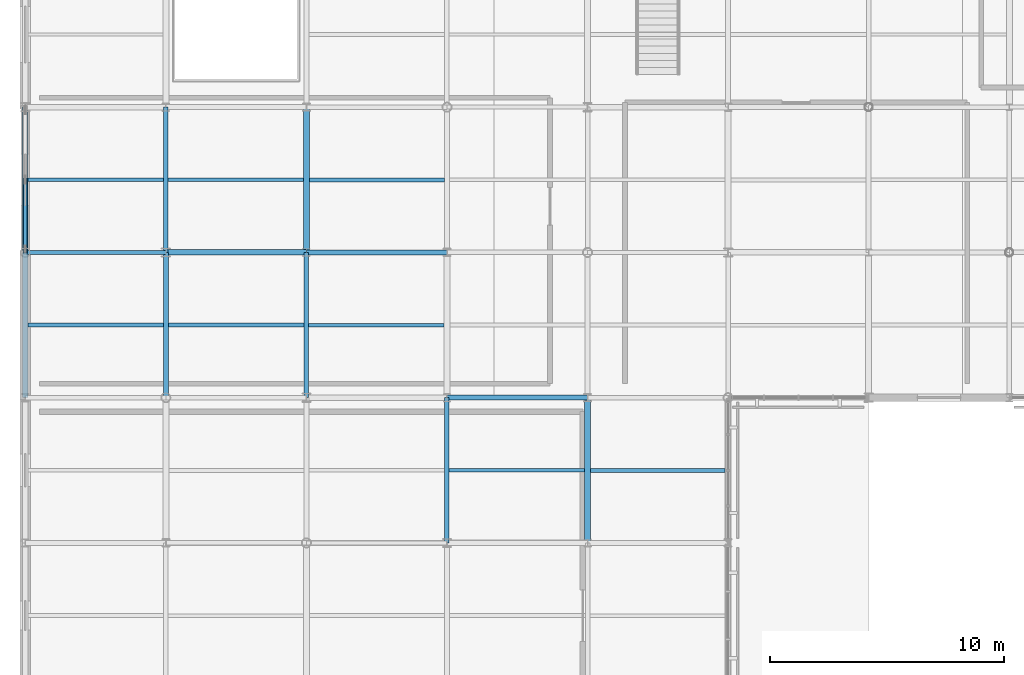
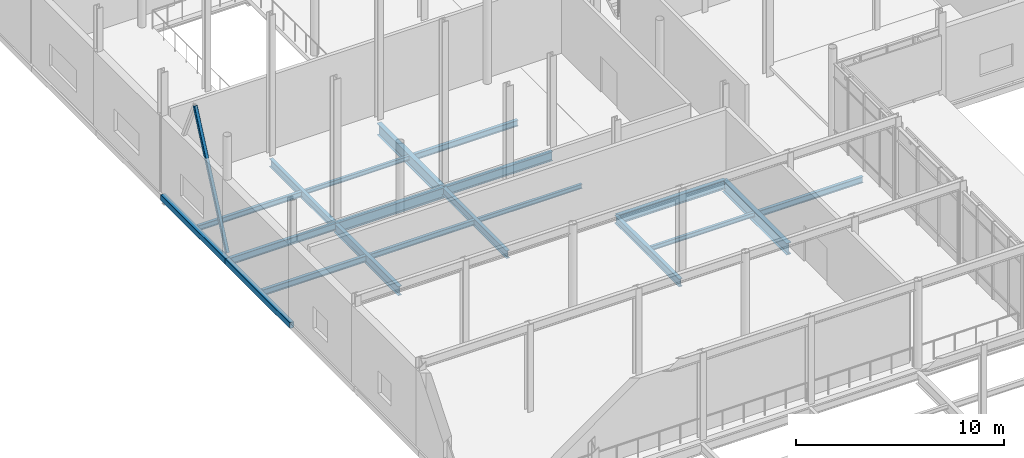
# One storey, part 23 of 105: 20 beams, 1 member.
"""IFC4 building model written with IfcOpenShell, lengths in metres."""

from ifc_helpers import new_model, si_unit, direction, frame, origin, origin_2d, place, context, subcontext, project, spatial, hollow_rectangle, i_section, extrude, material, material_profile, profile_set, type_object, element, save


model = new_model("IFC4")

# Units and contexts
model_context = context("Model", 3, precision=1e-05, world=origin(), true_north=direction((0.0, 1.0)))
body_context = subcontext(model_context, "Body", "Model", "MODEL_VIEW")
ifc_project = project(units=[si_unit("LENGTHUNIT", "METRE"), si_unit("AREAUNIT", "SQUARE_METRE"), si_unit("VOLUMEUNIT", "CUBIC_METRE"), si_unit("PLANEANGLEUNIT", "RADIAN"), si_unit("MASSUNIT", "GRAM", prefix="KILO")], contexts=[model_context])

# Site, building, storey
site_placement = place(None, origin())
site = spatial("IfcSite", under=ifc_project, at=site_placement, CompositionType="ELEMENT")
building_placement = place(site_placement, origin())
building = spatial("IfcBuilding", under=site, at=building_placement, Name="Mirzam Square Science Centre", CompositionType="ELEMENT")
storey_placement = place(building_placement, frame((0.0, 0.0, 5.39990234375)))
storey = spatial("IfcBuildingStorey", under=building, at=storey_placement, Name="L01", CompositionType="ELEMENT", Elevation=5.39990234375)

# Beams
ifc_material = material(Name="Steel S355", Category="steel")
ifc_material_profile_1 = material_profile(ifc_material, i_section(OverallWidth=0.1787109375, OverallDepth=0.409423828125, WebThickness=0.0087890625, FlangeThickness=0.014404296875, FilletRadius=0.01025390625, at=origin_2d()), Name="406x178x67UB")
ifc_profile_set_1 = profile_set([ifc_material_profile_1], Name="Steel S355")
beam_type_1 = type_object("IfcBeamType", Name="BM-UB406", PredefinedType="BEAM", material=ifc_profile_set_1)
beam_1_placement = place(storey_placement, frame((0.0, 43.39990234375, -0.464599609375), z_axis=(1.0, 0.0, 0.0), x_axis=(0.0, 1.0, 0.0)))
element("IfcBeam", 1, at=beam_1_placement, inside=storey, type_object=beam_type_1, Name="L01 girder X1-8", PredefinedType="BEAM", context=body_context, shape_type="SweptSolid", body=[
    extrude(i_section(OverallWidth=0.1787109375, OverallDepth=0.409423828125, WebThickness=0.0087890625, FlangeThickness=0.014404296875, FilletRadius=0.01025390625, at=origin_2d()), origin(), (0.0, 0.0, 1.0), 6.0),
])
ifc_material_profile_2 = material_profile(ifc_material, i_section(OverallWidth=0.19140625, OverallDepth=0.4599609375, WebThickness=0.010009765625, FlangeThickness=0.01611328125, FilletRadius=0.01025390625, at=origin_2d()), Name="457x191x82UB")
ifc_profile_set_2 = profile_set([ifc_material_profile_2], Name="Steel S355")
beam_type_2 = type_object("IfcBeamType", Name="BM-UB457", PredefinedType="BEAM", material=ifc_profile_set_2)
beam_2_placement = place(storey_placement, frame((6.0, 43.39990234375, -0.489990234375), z_axis=(0.0, 1.0, 0.0), x_axis=(-1.0, 0.0, 0.0)))
element("IfcBeam", 2, at=beam_2_placement, inside=storey, type_object=beam_type_2, Name="L01 girder Y2-8", PredefinedType="BEAM", context=body_context, shape_type="SweptSolid", body=[
    extrude(i_section(OverallWidth=0.19140625, OverallDepth=0.4599609375, WebThickness=0.010009765625, FlangeThickness=0.01611328125, FilletRadius=0.01025390625, at=origin_2d()), origin(), (0.0, 0.0, 1.0), 6.2001953125),
])
for number, where, z_axis, x_axis, name in (
    (3, (12.0, 37.199951171875, -0.489990234375), (0.0, 1.0, 0.0), (-1.0, 0.0, 0.0), "L01 girder Y3-7"),
    (4, (18.0, 31.0, -0.489990234375), (0.0, 1.0, 0.0), (-1.0, 0.0, 0.0), "L01 girder Y4-6"),
):
    element("IfcBeam", number, at=place(storey_placement, frame(where, z_axis=z_axis, x_axis=x_axis)), inside=storey, type_object=beam_type_2, Name=name, PredefinedType="BEAM", context=body_context, shape_type="SweptSolid", body=[
        extrude(i_section(OverallWidth=0.19140625, OverallDepth=0.4599609375, WebThickness=0.010009765625, FlangeThickness=0.01611328125, FilletRadius=0.01025390625, at=origin_2d()), origin(), (0.0, 0.0, 1.0), 6.199951171875),
    ])
ifc_material_profile_3 = material_profile(ifc_material, i_section(OverallWidth=0.2099609375, OverallDepth=0.53662109375, WebThickness=0.0107421875, FlangeThickness=0.017333984375, FilletRadius=0.0126953125, at=origin_2d()), Name="533x210x101UB")
ifc_profile_set_3 = profile_set([ifc_material_profile_3], Name="Steel S355")
beam_type_3 = type_object("IfcBeamType", Name="BM-UB533", PredefinedType="BEAM", material=ifc_profile_set_3)
for number, where, z_axis, x_axis, name in (
    (5, (18.0, 37.199951171875, -0.5283203125), (1.0, 0.0, 0.0), (0.0, 1.0, 0.0), "L01 girder X4-7"),
    (6, (12.0, 43.39990234375, -0.5283203125), (1.0, 0.0, 0.0), (0.0, 1.0, 0.0), "L01 girder X3-8"),
):
    element("IfcBeam", number, at=place(storey_placement, frame(where, z_axis=z_axis, x_axis=x_axis)), inside=storey, type_object=beam_type_3, Name=name, PredefinedType="BEAM", context=body_context, shape_type="SweptSolid", body=[
        extrude(i_section(OverallWidth=0.2099609375, OverallDepth=0.53662109375, WebThickness=0.0107421875, FlangeThickness=0.017333984375, FilletRadius=0.0126953125, at=origin_2d()), origin(), (0.0, 0.0, 1.0), 6.0),
    ])
beam_3_placement = place(storey_placement, frame((6.0, 37.199951171875, -0.5283203125), z_axis=(0.0, 1.0, 0.0), x_axis=(-1.0, 0.0, 0.0)))
element("IfcBeam", 7, at=beam_3_placement, inside=storey, type_object=beam_type_3, Name="L01 girder Y2-7", PredefinedType="BEAM", context=body_context, shape_type="SweptSolid", body=[
    extrude(i_section(OverallWidth=0.2099609375, OverallDepth=0.53662109375, WebThickness=0.0107421875, FlangeThickness=0.017333984375, FilletRadius=0.0126953125, at=origin_2d()), origin(), (0.0, 0.0, 1.0), 6.199951171875),
])
ifc_material_profile_4 = material_profile(ifc_material, i_section(OverallWidth=0.22900390625, OverallDepth=0.6123046875, WebThickness=0.011962890625, FlangeThickness=0.01953125, FilletRadius=0.0126953125, at=origin_2d()), Name="610x229x125UB")
ifc_profile_set_4 = profile_set([ifc_material_profile_4], Name="Steel S355")
beam_type_4 = type_object("IfcBeamType", Name="BM-UB610", PredefinedType="BEAM", material=ifc_profile_set_4)
beam_4_placement = place(storey_placement, frame((6.0, 43.39990234375, -0.56591796875), z_axis=(1.0, 0.0, 0.0), x_axis=(0.0, 1.0, 0.0)))
element("IfcBeam", 8, at=beam_4_placement, inside=storey, type_object=beam_type_4, Name="L01 girder X2-8", PredefinedType="BEAM", context=body_context, shape_type="SweptSolid", body=[
    extrude(i_section(OverallWidth=0.22900390625, OverallDepth=0.6123046875, WebThickness=0.011962890625, FlangeThickness=0.01953125, FilletRadius=0.0126953125, at=origin_2d()), origin(), (0.0, 0.0, 1.0), 6.0),
])
ifc_material_profile_5 = material_profile(ifc_material, i_section(OverallWidth=0.25439453125, OverallDepth=0.6875, WebThickness=0.01318359375, FlangeThickness=0.02099609375, FilletRadius=0.01513671875, at=origin_2d()), Name="686x254x152UB")
ifc_profile_set_5 = profile_set([ifc_material_profile_5], Name="Steel S355")
beam_type_5 = type_object("IfcBeamType", Name="BM-UB686", PredefinedType="BEAM", material=ifc_profile_set_5)
beam_5_placement = place(storey_placement, frame((12.0, 43.39990234375, -0.603759765625), z_axis=(0.0, 1.0, 0.0), x_axis=(-1.0, 0.0, 0.0)))
element("IfcBeam", 9, at=beam_5_placement, inside=storey, type_object=beam_type_5, Name="L01 girder Y3-8", PredefinedType="BEAM", context=body_context, shape_type="SweptSolid", body=[
    extrude(i_section(OverallWidth=0.25439453125, OverallDepth=0.6875, WebThickness=0.01318359375, FlangeThickness=0.02099609375, FilletRadius=0.01513671875, at=origin_2d()), origin(), (0.0, 0.0, 1.0), 6.2001953125),
])
beam_6_placement = place(storey_placement, frame((24.0, 31.0, -0.603759765625), z_axis=(0.0, 1.0, 0.0), x_axis=(-1.0, 0.0, 0.0)))
element("IfcBeam", 10, at=beam_6_placement, inside=storey, type_object=beam_type_5, Name="L01 girder Y5-6", PredefinedType="BEAM", context=body_context, shape_type="SweptSolid", body=[
    extrude(i_section(OverallWidth=0.25439453125, OverallDepth=0.6875, WebThickness=0.01318359375, FlangeThickness=0.02099609375, FilletRadius=0.01513671875, at=origin_2d()), origin(), (0.0, 0.0, 1.0), 6.199951171875),
])

# Member
ifc_material_profile_6 = material_profile(ifc_material, hollow_rectangle(XDim=0.179931640625, YDim=0.179931640625, WallThickness=0.010009765625, InnerFilletRadius=0.010009765625, OuterFilletRadius=0.02001953125, at=origin_2d()), Name="180x180x10.0SHS")
ifc_profile_set_6 = profile_set([ifc_material_profile_6], Name="Steel S355")
member_type = type_object("IfcMemberType", Name="BR-SHS180", PredefinedType="BRACE", material=ifc_profile_set_6)
member_placement = place(storey_placement, frame((0.0, 43.39990234375, 0.050048828125), z_axis=(0.0, 0.417435611906, 0.908706503725), x_axis=(-1.0, 0.0, 0.0)))
element("IfcMember", 11, at=member_placement, inside=storey, type_object=member_type, Name="L01 chevron brace 1A", PredefinedType="BRACE", context=body_context, shape_type="SweptSolid", body=[
    extrude(hollow_rectangle(XDim=0.179931640625, YDim=0.179931640625, WallThickness=0.010009765625, InnerFilletRadius=0.010009765625, OuterFilletRadius=0.02001953125, at=origin_2d()), origin(), (0.0, 0.0, 1.0), 7.426513671875),
])

# Beams
ifc_material_profile_7 = material_profile(ifc_material, i_section(OverallWidth=0.146484375, OverallDepth=0.256103515625, WebThickness=0.00634765625, FlangeThickness=0.010986328125, FilletRadius=0.007568359375, at=origin_2d()), Name="254x146x37UB")
ifc_profile_set_7 = profile_set([ifc_material_profile_7], Name="Steel S355")
beam_type_6 = type_object("IfcBeamType", Name="JS-UB254", PredefinedType="JOIST", material=ifc_profile_set_7)
for number, where, z_axis, x_axis, name in (
    (12, (6.095703125, 46.5, -0.387939453125), (1.0, 0.0, 0.0), (0.0, 1.0, 0.0), "L01 composite joist 2-8"),
    (13, (12.095703125, 40.300048828125, -0.387939453125), (1.0, 0.0, 0.0), (0.0, 1.0, 0.0), "L01 composite joist 3-7"),
    (14, (18.095703125, 34.10009765625, -0.387939453125), (1.0, 0.0, 0.0), (0.0, 1.0, 0.0), "L01 composite joist 4-6"),
):
    element("IfcBeam", number, at=place(storey_placement, frame(where, z_axis=z_axis, x_axis=x_axis)), inside=storey, type_object=beam_type_6, Name=name, PredefinedType="JOIST", context=body_context, shape_type="SweptSolid", body=[
        extrude(i_section(OverallWidth=0.146484375, OverallDepth=0.256103515625, WebThickness=0.00634765625, FlangeThickness=0.010986328125, FilletRadius=0.007568359375, at=origin_2d()), origin(), (0.0, 0.0, 1.0), 5.777099609375),
    ])
ifc_material_profile_8 = material_profile(ifc_material, i_section(OverallWidth=0.165771484375, OverallDepth=0.306640625, WebThickness=0.006591796875, FlangeThickness=0.01171875, FilletRadius=0.0087890625, at=origin_2d()), Name="305x165x46UB")
ifc_profile_set_8 = profile_set([ifc_material_profile_8], Name="Steel S355")
beam_type_7 = type_object("IfcBeamType", Name="JS-UB305", PredefinedType="JOIST", material=ifc_profile_set_8)
beam_7_placement = place(storey_placement, frame((0.125, 46.5, -0.4130859375), z_axis=(1.0, 0.0, 0.0), x_axis=(0.0, 1.0, 0.0)))
element("IfcBeam", 15, at=beam_7_placement, inside=storey, type_object=beam_type_7, Name="L01 composite joist 1-8", PredefinedType="JOIST", context=body_context, shape_type="SweptSolid", body=[
    extrude(i_section(OverallWidth=0.165771484375, OverallDepth=0.306640625, WebThickness=0.006591796875, FlangeThickness=0.01171875, FilletRadius=0.0087890625, at=origin_2d()), origin(), (0.0, 0.0, 1.0), 5.779296875),
])
beam_8_placement = place(storey_placement, frame((6.10498046875, 40.300048828125, -0.4130859375), z_axis=(1.0, 0.0, 0.0), x_axis=(0.0, 1.0, 0.0)))
element("IfcBeam", 16, at=beam_8_placement, inside=storey, type_object=beam_type_7, Name="L01 composite joist 2-7", PredefinedType="JOIST", context=body_context, shape_type="SweptSolid", body=[
    extrude(i_section(OverallWidth=0.165771484375, OverallDepth=0.306640625, WebThickness=0.006591796875, FlangeThickness=0.01171875, FilletRadius=0.0087890625, at=origin_2d()), origin(), (0.0, 0.0, 1.0), 5.79931640625),
])
ifc_material_profile_9 = material_profile(ifc_material, i_section(OverallWidth=0.172119140625, OverallDepth=0.35791015625, WebThickness=0.008056640625, FlangeThickness=0.012939453125, FilletRadius=0.01025390625, at=origin_2d()), Name="356x171x57UB")
ifc_profile_set_9 = profile_set([ifc_material_profile_9], Name="Steel S355")
beam_type_8 = type_object("IfcBeamType", Name="JS-UB356", PredefinedType="JOIST", material=ifc_profile_set_9)
beam_9_placement = place(storey_placement, frame((0.125, 40.300048828125, -0.43896484375), z_axis=(1.0, 0.0, 0.0), x_axis=(0.0, 1.0, 0.0)))
element("IfcBeam", 17, at=beam_9_placement, inside=storey, type_object=beam_type_8, Name="L01 composite joist 1-7", PredefinedType="JOIST", context=body_context, shape_type="SweptSolid", body=[
    extrude(i_section(OverallWidth=0.172119140625, OverallDepth=0.35791015625, WebThickness=0.008056640625, FlangeThickness=0.012939453125, FilletRadius=0.01025390625, at=origin_2d()), origin(), (0.0, 0.0, 1.0), 5.77001953125),
])
beam_10_placement = place(storey_placement, frame((12.127197265625, 46.5, -0.43896484375), z_axis=(1.0, 0.0, 0.0), x_axis=(0.0, 1.0, 0.0)))
element("IfcBeam", 18, at=beam_10_placement, inside=storey, type_object=beam_type_8, Name="L01 composite joist 3-8", PredefinedType="JOIST", context=body_context, shape_type="SweptSolid", body=[
    extrude(i_section(OverallWidth=0.172119140625, OverallDepth=0.35791015625, WebThickness=0.008056640625, FlangeThickness=0.012939453125, FilletRadius=0.01025390625, at=origin_2d()), origin(), (0.0, 0.0, 1.0), 5.767822265625),
])
beam_11_placement = place(storey_placement, frame((24.127197265625, 34.10009765625, -0.43896484375), z_axis=(1.0, 0.0, 0.0), x_axis=(0.0, 1.0, 0.0)))
element("IfcBeam", 19, at=beam_11_placement, inside=storey, type_object=beam_type_8, Name="L01 composite joist 5-6", PredefinedType="JOIST", context=body_context, shape_type="SweptSolid", body=[
    extrude(i_section(OverallWidth=0.172119140625, OverallDepth=0.35791015625, WebThickness=0.008056640625, FlangeThickness=0.012939453125, FilletRadius=0.01025390625, at=origin_2d()), origin(), (0.0, 0.0, 1.0), 5.747802734375),
])
ifc_material_profile_10 = material_profile(ifc_material, hollow_rectangle(XDim=0.25, YDim=0.35009765625, WallThickness=0.012451171875, InnerFilletRadius=0.012451171875, OuterFilletRadius=0.02490234375, at=origin_2d()), Name="350x250x12.5RHS")
ifc_profile_set_10 = profile_set([ifc_material_profile_10], Name="Steel S355")
beam_type_9 = type_object("IfcBeamType", Name="SP-RHS350", PredefinedType="SPANDREL", material=ifc_profile_set_10)
beam_12_placement = place(storey_placement, frame((0.0, 37.199951171875, -0.434814453125), z_axis=(0.0, 1.0, 0.0), x_axis=(-1.0, 0.0, 0.0)))
element("IfcBeam", 20, at=beam_12_placement, inside=storey, type_object=beam_type_9, Name="L01 girder Y1-7", PredefinedType="SPANDREL", context=body_context, shape_type="SweptSolid", body=[
    extrude(hollow_rectangle(XDim=0.25, YDim=0.35009765625, WallThickness=0.012451171875, InnerFilletRadius=0.012451171875, OuterFilletRadius=0.02490234375, at=origin_2d()), origin(), (0.0, 0.0, 1.0), 6.199951171875),
])
beam_13_placement = place(storey_placement, frame((0.0, 43.39990234375, -0.434814453125), z_axis=(0.0, 1.0, 0.0), x_axis=(-1.0, 0.0, 0.0)))
element("IfcBeam", 21, at=beam_13_placement, inside=storey, type_object=beam_type_9, Name="L01 girder Y1-8", PredefinedType="SPANDREL", context=body_context, shape_type="SweptSolid", body=[
    extrude(hollow_rectangle(XDim=0.25, YDim=0.35009765625, WallThickness=0.012451171875, InnerFilletRadius=0.012451171875, OuterFilletRadius=0.02490234375, at=origin_2d()), origin(), (0.0, 0.0, 1.0), 6.2001953125),
])

save(model, "model.ifc")
